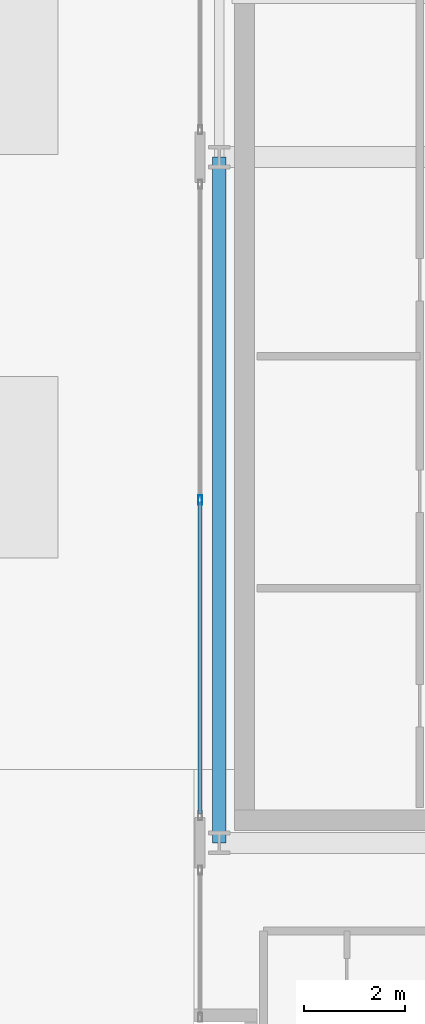
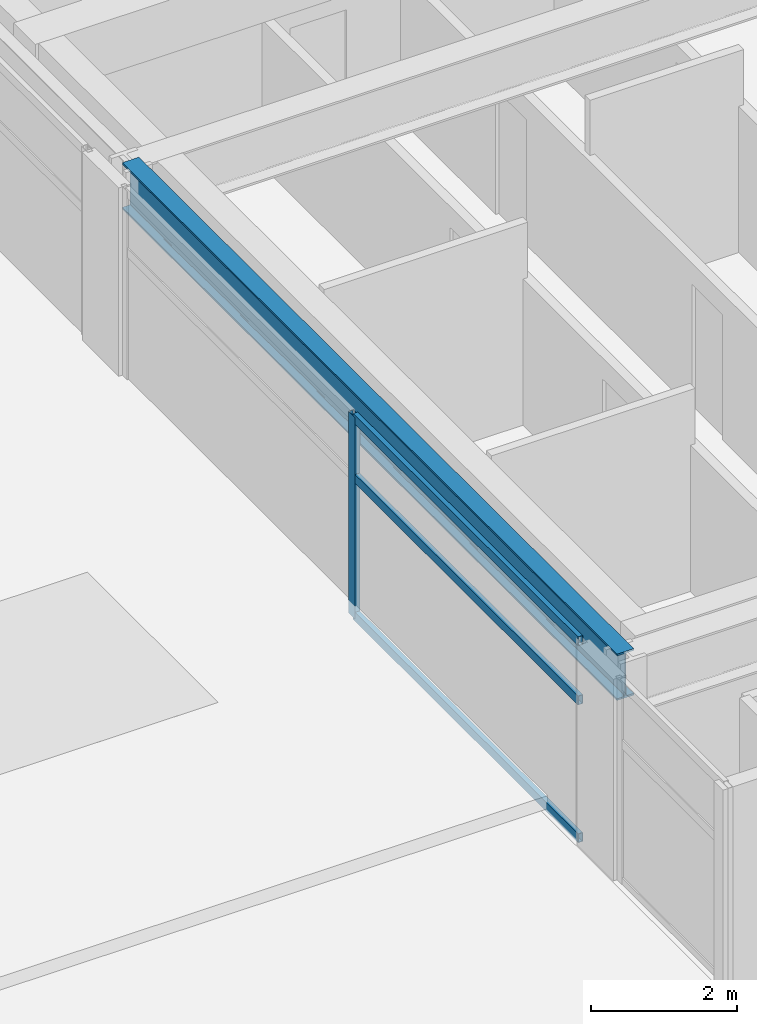
# One storey, part 9 of 25: 4 members, 1 beam, 1 element without a shape of its own.
"""IFC4 building model written with IfcOpenShell, lengths in metres."""

from ifc_helpers import new_model, si_unit, direction, frame, origin, origin_2d, place, context, subcontext, project, spatial, hollow_rectangle, i_section, extrude, source, transform, mapped, material, layer, layer_set, material_profile, profile_set, type_object, element, aggregate, save


model = new_model("IFC4")

# Units and contexts
model_context = context("Model", 3, precision=1e-05, world=origin(), true_north=direction((0.0, 1.0)))
body_context = subcontext(model_context, "Body", "Model", "MODEL_VIEW")
ifc_project = project(units=[si_unit("LENGTHUNIT", "METRE"), si_unit("AREAUNIT", "SQUARE_METRE"), si_unit("VOLUMEUNIT", "CUBIC_METRE"), si_unit("PLANEANGLEUNIT", "RADIAN"), si_unit("MASSUNIT", "GRAM", prefix="KILO")], contexts=[model_context])

# Site, building, storey
site_placement = place(None, origin())
site = spatial("IfcSite", under=ifc_project, at=site_placement, CompositionType="ELEMENT")
building_placement = place(site_placement, origin())
building = spatial("IfcBuilding", under=site, at=building_placement, Name="Ocotamira Hotel", CompositionType="ELEMENT")
storey_placement = place(building_placement, frame((0.0, 0.0, 250.800048828125)))
storey = spatial("IfcBuildingStorey", under=building, at=storey_placement, Name="L63", CompositionType="ELEMENT", Elevation=250.800048828125)

# Beam
ifc_material_1 = material(Name="Steel ASTM A992 Grade 50", Category="steel")
ifc_material_profile_1 = material_profile(ifc_material_1, i_section(OverallWidth=0.26611328125, OverallDepth=0.779052734375, WebThickness=0.0166015625, FlangeThickness=0.030029296875, FilletRadius=0.01806640625, at=origin_2d()), Name="W30X148")
ifc_profile_set_1 = profile_set([ifc_material_profile_1], Name="Steel ASTM A992 Grade 50")
beam_type = type_object("IfcBeamType", Name="BM-GIRD-W30X148", PredefinedType="BEAM", material=ifc_profile_set_1)
shared_shape_1 = source(origin(), body_context, "Body", "SweptSolid", [
    extrude(i_section(OverallWidth=0.26611328125, OverallDepth=0.779052734375, WebThickness=0.0166015625, FlangeThickness=0.030029296875, FilletRadius=0.01806640625, at=origin_2d()), origin(), (0.0, 0.0, 1.0), 13.599853515625),
])
beam_placement = place(storey_placement, frame((40.5, 14.550048828125, 2.990478515625), z_axis=(0.0, 1.0, 0.0), x_axis=(-1.0, 0.0, 0.0)))
element("IfcBeam", 1, at=beam_placement, inside=storey, type_object=beam_type, Name="L63 Beam X40.5 Y14.55-28.15", PredefinedType="BEAM", context=body_context, shape_type="MappedRepresentation", body=[
    mapped(shared_shape_1, transform((0.0, 0.0, 0.0), scale=1.0)),
])

# Curtain wall, members
ifc_material_2 = material(Name="Anodised pale-metal aluminium and solar glass", Category="aluminium")
ifc_layer = layer(ifc_material_2, 0.2099609375)
ifc_layer_set = layer_set([ifc_layer], Name="Anodised pale-metal aluminium and solar glass")
curtain_wall_type = type_object("IfcCurtainWallType", Name="CW-SYS7-PEAK", PredefinedType="NOTDEFINED", material=ifc_layer_set)
curtain_wall_placement = place(storey_placement, origin())
curtain_wall = element("IfcCurtainWall", 2, at=curtain_wall_placement, inside=storey, type_object=curtain_wall_type, Name="L63 Curtain Wall CW-7 CW-L63-EI2", PredefinedType="NOTDEFINED")
ifc_material_3 = material(Name="Anodised pale-metal aluminium 6063-T6", Category="aluminium")
ifc_material_profile_2 = material_profile(ifc_material_3, hollow_rectangle(XDim=0.080078125, YDim=0.179931640625, WallThickness=0.006103515625, at=origin_2d()), Name="HSS180X80X6")
ifc_profile_set_2 = profile_set([ifc_material_profile_2], Name="Anodised pale-metal aluminium 6063-T6")
member_type_1 = type_object("IfcMemberType", Name="CWM-180X75", PredefinedType="MULLION", material=ifc_profile_set_2)
shared_shape_2 = source(origin(), body_context, "Body", "SweptSolid", [
    extrude(hollow_rectangle(XDim=0.080078125, YDim=0.179931640625, WallThickness=0.006103515625, at=origin_2d()), origin(), (0.0, 0.0, 1.0), 3.3798828125),
])
member_1_placement = place(storey_placement, frame((40.1201171875, 21.35009765625, 0.0), z_axis=(0.0, 0.0, 1.0), x_axis=(-1.0, 0.0, 0.0)))
member_1 = element("IfcMember", 3, at=member_1_placement, type_object=member_type_1, Name="CW-7 mullion 2", PredefinedType="MULLION", context=body_context, shape_type="MappedRepresentation", body=[
    mapped(shared_shape_2, transform((0.0, 0.0, 0.0), scale=1.0)),
])
ifc_material_profile_3 = material_profile(ifc_material_3, hollow_rectangle(XDim=0.074951171875, YDim=0.14990234375, WallThickness=0.006103515625, at=origin_2d()), Name="HSS150X75X6")
ifc_profile_set_3 = profile_set([ifc_material_profile_3], Name="Anodised pale-metal aluminium 6063-T6")
member_type_2 = type_object("IfcMemberType", Name="CWT-150X75", PredefinedType="USERDEFINED", material=ifc_profile_set_3)
shared_shape_3 = source(origin(), body_context, "Body", "SweptSolid", [
    extrude(hollow_rectangle(XDim=0.074951171875, YDim=0.14990234375, WallThickness=0.006103515625, at=origin_2d()), origin(), (0.0, 0.0, 1.0), 6.18017578125),
])
member_2_placement = place(storey_placement, frame((40.1201171875, 15.1298828125, 0.037353515625), z_axis=(0.0, 1.0, 0.0), x_axis=(-1.0, 0.0, 0.0)))
member_2 = element("IfcMember", 4, at=member_2_placement, type_object=member_type_2, Name="CW-7 transom 1.1", ObjectType="TRANSOM", PredefinedType="USERDEFINED", context=body_context, shape_type="MappedRepresentation", body=[
    mapped(shared_shape_3, transform((0.0, 0.0, 0.0), scale=1.0)),
])
member_3_placement = place(storey_placement, frame((40.1201171875, 15.1298828125, 2.349853515625), z_axis=(0.0, 1.0, 0.0), x_axis=(-1.0, 0.0, 0.0)))
member_3 = element("IfcMember", 5, at=member_3_placement, type_object=member_type_2, Name="CW-7 transom 1.2", ObjectType="TRANSOM", PredefinedType="USERDEFINED", context=body_context, shape_type="MappedRepresentation", body=[
    mapped(shared_shape_3, transform((0.0, 0.0, 0.0), scale=1.0)),
])
member_4_placement = place(storey_placement, frame((40.1201171875, 15.1298828125, 3.342529296875), z_axis=(0.0, 1.0, 0.0), x_axis=(-1.0, 0.0, 0.0)))
member_4 = element("IfcMember", 6, at=member_4_placement, type_object=member_type_2, Name="CW-7 transom 1.3", ObjectType="TRANSOM", PredefinedType="USERDEFINED", context=body_context, shape_type="MappedRepresentation", body=[
    mapped(shared_shape_3, transform((0.0, 0.0, 0.0), scale=1.0)),
])
aggregate(curtain_wall, [member_1, member_2, member_3, member_4])

save(model, "model.ifc")
